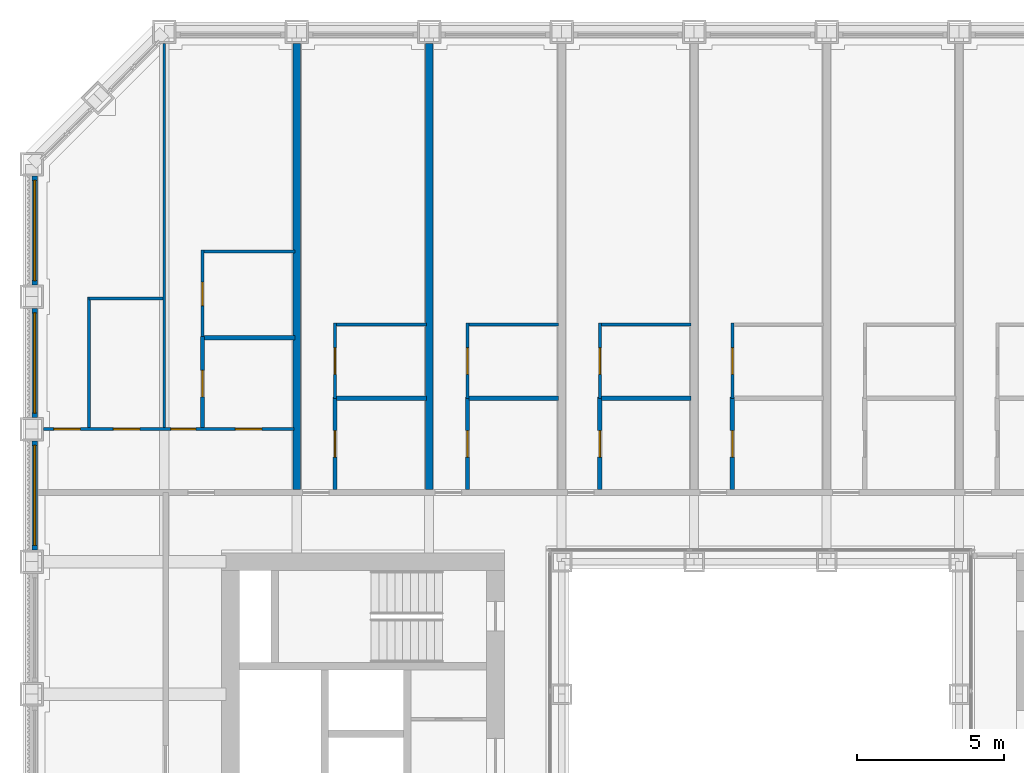
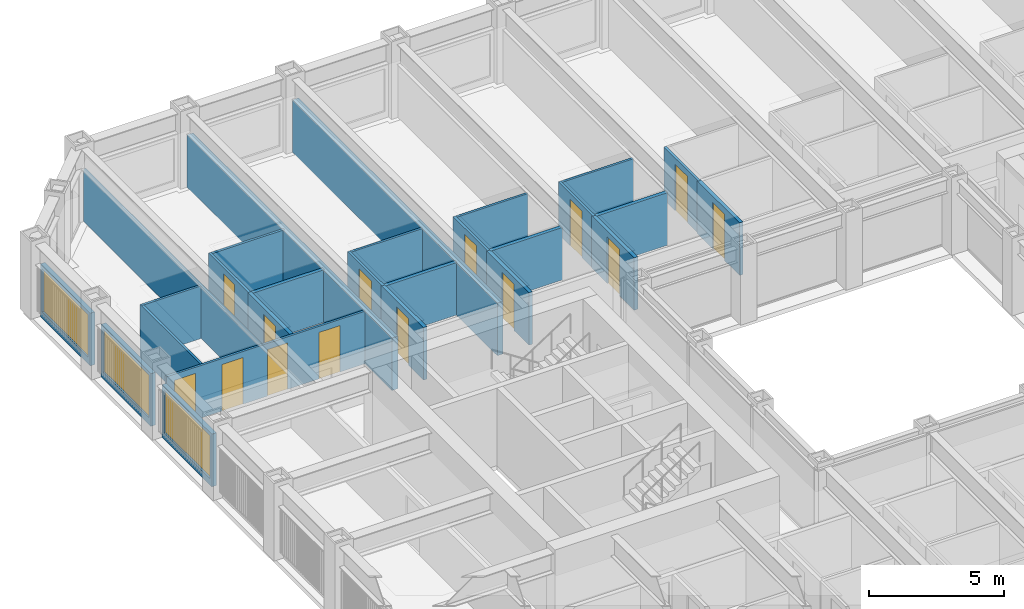
# One storey, part 13 of 21: 27 walls, 14 doors, 3 windows, 17 openings.
"""IFC4 building model written with IfcOpenShell, lengths in metres."""

from ifc_helpers import new_model, si_unit, direction, frame, frame_2d, origin, place, context, subcontext, project, spatial, rectangle, extrude, material, layer, layer_set, type_object, element, fill, save


model = new_model("IFC4")

# Units and contexts
model_context = context("Model", 3, precision=1e-05, world=origin(), true_north=direction((0.0, 1.0)))
body_context = subcontext(model_context, "Body", "Model", "MODEL_VIEW")
ifc_project = project(units=[si_unit("LENGTHUNIT", "METRE"), si_unit("AREAUNIT", "SQUARE_METRE"), si_unit("VOLUMEUNIT", "CUBIC_METRE"), si_unit("PLANEANGLEUNIT", "RADIAN"), si_unit("MASSUNIT", "GRAM", prefix="KILO")], contexts=[model_context])

# Site, building, storey
site_placement = place(None, origin())
site = spatial("IfcSite", under=ifc_project, at=site_placement, CompositionType="ELEMENT")
building_placement = place(site_placement, origin())
building = spatial("IfcBuilding", under=site, at=building_placement, Name="Msasa Ring Tower", CompositionType="ELEMENT")
storey_placement = place(building_placement, frame((0.0, 0.0, 33.5)))
storey = spatial("IfcBuildingStorey", under=building, at=storey_placement, Name="L07", CompositionType="ELEMENT", Elevation=33.5)

# Wall, opening, window
ifc_material_1 = material(Name="Terracotta rainscreen on blockwork", Category="masonry")
ifc_layer_1 = layer(ifc_material_1, 0.199951171875)
ifc_layer_set_1 = layer_set([ifc_layer_1], Name="FW1 TERRACOTTA-LINED INFILL BAY WALL 200")
wall_type_1 = type_object("IfcWallType", Name="FW1 TERRACOTTA-LINED INFILL BAY WALL 200", PredefinedType="SOLIDWALL", material=ifc_layer_set_1)
wall_1_placement = place(storey_placement, frame((-24.64990234375, 7.155029296875, 0.0), z_axis=(0.0, 0.0, 1.0), x_axis=(0.0, 1.0, 0.0)))
wall_1 = element("IfcWall", 1, at=wall_1_placement, inside=storey, type_object=wall_type_1, Name="Infill bay wall W L07 39", PredefinedType="SOLIDWALL", context=body_context, shape_type="SweptSolid", body=[
    extrude(rectangle(XDim=3.68994140625, YDim=0.199951171875, at=frame_2d((1.844970703125, 0.0))), origin(), (0.0, 0.0, 1.0), 2.37890625),
])
opening_1_placement = place(wall_1_placement, frame((0.14501953125, 0.0, 0.300048828125)))
opening_1 = element("IfcOpeningElement", 2, at=opening_1_placement, cuts=wall_1, Name="Opening WN1", PredefinedType="OPENING", context=body_context, shape_type="SweptSolid", body=[
    extrude(rectangle(XDim=3.39990234375, YDim=1.928955078125, at=frame_2d((1.699951171875, 0.96435546875))), frame((0.0, 0.10986328125, 0.0), z_axis=(0.0, -1.0, 0.0), x_axis=(1.0, 0.0, 0.0)), (0.0, 0.0, 1.0), 0.219970703125),
])
ifc_material_2 = material(Name="Aluminium frame with clear glass", Category="aluminium")
window_type = type_object("IfcWindowType", Name="WN1 RESIDENCE WINDOW 3400x1929", PartitioningType="SINGLE_PANEL", PredefinedType="WINDOW", material=ifc_material_2)
window_1_placement = place(opening_1_placement, origin())
window_1 = element("IfcWindow", 3, at=window_1_placement, inside=storey, type_object=window_type, Name="Window W L07 39", OverallHeight=1.928955078125, OverallWidth=3.39990234375, PartitioningType="SINGLE_PANEL", PredefinedType="WINDOW", context=body_context, shape_type="SweptSolid", body=[
    extrude(rectangle(XDim=3.39990234375, YDim=1.928955078125, at=frame_2d((1.699951171875, 0.96435546875))), frame((0.0, 0.030029296875, 0.0), z_axis=(0.0, -1.0, 0.0), x_axis=(1.0, 0.0, 0.0)), (0.0, 0.0, 1.0), 0.06005859375),
])
fill(opening_1, window_1)

wall_2_placement = place(storey_placement, frame((-24.64990234375, 11.655029296875, 0.0), z_axis=(0.0, 0.0, 1.0), x_axis=(0.0, 1.0, 0.0)))
wall_2 = element("IfcWall", 4, at=wall_2_placement, inside=storey, type_object=wall_type_1, Name="Infill bay wall W L07 40", PredefinedType="SOLIDWALL", context=body_context, shape_type="SweptSolid", body=[
    extrude(rectangle(XDim=3.68994140625, YDim=0.199951171875, at=frame_2d((1.844970703125, 0.0))), origin(), (0.0, 0.0, 1.0), 2.37890625),
])
opening_2_placement = place(wall_2_placement, frame((0.14501953125, 0.0, 0.300048828125)))
opening_2 = element("IfcOpeningElement", 5, at=opening_2_placement, cuts=wall_2, Name="Opening WN1", PredefinedType="OPENING", context=body_context, shape_type="SweptSolid", body=[
    extrude(rectangle(XDim=3.39990234375, YDim=1.928955078125, at=frame_2d((1.699951171875, 0.96435546875))), frame((0.0, 0.10986328125, 0.0), z_axis=(0.0, -1.0, 0.0), x_axis=(1.0, 0.0, 0.0)), (0.0, 0.0, 1.0), 0.219970703125),
])
window_2_placement = place(opening_2_placement, origin())
window_2 = element("IfcWindow", 6, at=window_2_placement, inside=storey, type_object=window_type, Name="Window W L07 40", OverallHeight=1.928955078125, OverallWidth=3.39990234375, PartitioningType="SINGLE_PANEL", PredefinedType="WINDOW", context=body_context, shape_type="SweptSolid", body=[
    extrude(rectangle(XDim=3.39990234375, YDim=1.928955078125, at=frame_2d((1.699951171875, 0.96435546875))), frame((0.0, 0.030029296875, 0.0), z_axis=(0.0, -1.0, 0.0), x_axis=(1.0, 0.0, 0.0)), (0.0, 0.0, 1.0), 0.06005859375),
])
fill(opening_2, window_2)

wall_3_placement = place(storey_placement, frame((-24.64990234375, 16.155029296875, 0.0), z_axis=(0.0, 0.0, 1.0), x_axis=(0.0, 1.0, 0.0)))
wall_3 = element("IfcWall", 7, at=wall_3_placement, inside=storey, type_object=wall_type_1, Name="Infill bay wall W L07 41", PredefinedType="SOLIDWALL", context=body_context, shape_type="SweptSolid", body=[
    extrude(rectangle(XDim=3.68994140625, YDim=0.199951171875, at=frame_2d((1.844970703125, 0.0))), origin(), (0.0, 0.0, 1.0), 2.37890625),
])
opening_3_placement = place(wall_3_placement, frame((0.14501953125, 0.0, 0.300048828125)))
opening_3 = element("IfcOpeningElement", 8, at=opening_3_placement, cuts=wall_3, Name="Opening WN1", PredefinedType="OPENING", context=body_context, shape_type="SweptSolid", body=[
    extrude(rectangle(XDim=3.39990234375, YDim=1.928955078125, at=frame_2d((1.699951171875, 0.96435546875))), frame((0.0, 0.10986328125, 0.0), z_axis=(0.0, -1.0, 0.0), x_axis=(1.0, 0.0, 0.0)), (0.0, 0.0, 1.0), 0.219970703125),
])
window_3_placement = place(opening_3_placement, origin())
window_3 = element("IfcWindow", 9, at=window_3_placement, inside=storey, type_object=window_type, Name="Window W L07 41", OverallHeight=1.928955078125, OverallWidth=3.39990234375, PartitioningType="SINGLE_PANEL", PredefinedType="WINDOW", context=body_context, shape_type="SweptSolid", body=[
    extrude(rectangle(XDim=3.39990234375, YDim=1.928955078125, at=frame_2d((1.699951171875, 0.96435546875))), frame((0.0, 0.030029296875, 0.0), z_axis=(0.0, -1.0, 0.0), x_axis=(1.0, 0.0, 0.0)), (0.0, 0.0, 1.0), 0.06005859375),
])
fill(opening_3, window_3)

# Wall, openings, doors
ifc_material_3 = material(Name="Gypsum board on steel studs", Category="steel")
ifc_layer_2 = layer(ifc_material_3, 0.10009765625)
ifc_layer_set_2 = layer_set([ifc_layer_2], Name="PT2 STUD PARTITION 100")
wall_type_2 = type_object("IfcWallType", Name="PT2 STUD PARTITION 100", PredefinedType="PARTITIONING", material=ifc_layer_set_2)
wall_4_placement = place(storey_placement, frame((-24.35009765625, 11.25, 0.0), z_axis=(0.0, 0.0, 1.0), x_axis=(1.0, 0.0, 0.0)))
wall_4 = element("IfcWall", 10, at=wall_4_placement, inside=storey, type_object=wall_type_2, Name="Partition L07-UN00HY", PredefinedType="PARTITIONING", context=body_context, shape_type="SweptSolid", body=[
    extrude(rectangle(XDim=8.5, YDim=0.10009765625, at=frame_2d((4.25, 0.0))), origin(), (0.0, 0.0, 1.0), 2.373291015625),
])
opening_4_placement = place(wall_4_placement, frame((2.375, 0.0, 0.0)))
opening_4 = element("IfcOpeningElement", 11, at=opening_4_placement, cuts=wall_4, Name="Opening RA-013", PredefinedType="OPENING", context=body_context, shape_type="SweptSolid", body=[
    extrude(rectangle(XDim=0.89990234375, YDim=2.10009765625, at=frame_2d((0.449951171875, 1.050048828125))), frame((0.0, 0.06005859375, 0.0), z_axis=(0.0, -1.0, 0.0), x_axis=(1.0, 0.0, 0.0)), (0.0, 0.0, 1.0), 0.1201171875),
])
opening_5_placement = place(wall_4_placement, frame((0.35009765625, 0.0, 0.0)))
opening_5 = element("IfcOpeningElement", 12, at=opening_5_placement, cuts=wall_4, Name="Opening RA-012", PredefinedType="OPENING", context=body_context, shape_type="SweptSolid", body=[
    extrude(rectangle(XDim=0.89990234375, YDim=2.10009765625, at=frame_2d((0.449951171875, 1.050048828125))), frame((0.0, 0.06005859375, 0.0), z_axis=(0.0, -1.0, 0.0), x_axis=(1.0, 0.0, 0.0)), (0.0, 0.0, 1.0), 0.1201171875),
])
opening_6_placement = place(wall_4_placement, frame((4.324951171875, 0.0, 0.0)))
opening_6 = element("IfcOpeningElement", 13, at=opening_6_placement, cuts=wall_4, Name="Opening RA-014", PredefinedType="OPENING", context=body_context, shape_type="SweptSolid", body=[
    extrude(rectangle(XDim=0.85009765625, YDim=2.10009765625, at=frame_2d((0.425048828125, 1.050048828125))), frame((0.0, 0.06005859375, 0.0), z_axis=(0.0, -1.0, 0.0), x_axis=(1.0, 0.0, 0.0)), (0.0, 0.0, 1.0), 0.1201171875),
])
opening_7_placement = place(wall_4_placement, frame((6.52001953125, 0.0, 0.0)))
opening_7 = element("IfcOpeningElement", 14, at=opening_7_placement, cuts=wall_4, Name="Opening RA-015", PredefinedType="OPENING", context=body_context, shape_type="SweptSolid", body=[
    extrude(rectangle(XDim=0.89990234375, YDim=2.10009765625, at=frame_2d((0.449951171875, 1.050048828125))), frame((0.0, 0.06005859375, 0.0), z_axis=(0.0, -1.0, 0.0), x_axis=(1.0, 0.0, 0.0)), (0.0, 0.0, 1.0), 0.1201171875),
])
ifc_material_4 = material(Name="Timber door leaf in a steel frame", Category="steel")
door_type_1 = type_object("IfcDoorType", Name="D14 BEDROOM DOOR 850x2100", OperationType="SINGLE_SWING_LEFT", PredefinedType="DOOR", material=ifc_material_4)
door_1_placement = place(opening_6_placement, origin())
door_1 = element("IfcDoor", 15, at=door_1_placement, inside=storey, type_object=door_type_1, Name="Door L07-UN00R1", OperationType="SINGLE_SWING_RIGHT", OverallHeight=2.10009765625, OverallWidth=0.85009765625, PredefinedType="DOOR", context=body_context, shape_type="SweptSolid", body=[
    extrude(rectangle(XDim=0.85009765625, YDim=2.10009765625, at=frame_2d((0.425048828125, 1.050048828125))), frame((0.0, 0.02490234375, 0.0), z_axis=(0.0, -1.0, 0.0), x_axis=(1.0, 0.0, 0.0)), (0.0, 0.0, 1.0), 0.050048828125),
])
fill(opening_6, door_1)
ifc_material_5 = material(Name="Timber door leaf in a steel frame", Category="steel")
door_type_2 = type_object("IfcDoorType", Name="D22 INTERNAL HALL DOOR 900x2100", OperationType="SINGLE_SWING_LEFT", PredefinedType="DOOR", material=ifc_material_5)
door_2_placement = place(opening_4_placement, origin())
door_2 = element("IfcDoor", 16, at=door_2_placement, inside=storey, type_object=door_type_2, Name="Door L07-UN00K", OperationType="SINGLE_SWING_LEFT", OverallHeight=2.10009765625, OverallWidth=0.89990234375, PredefinedType="DOOR", context=body_context, shape_type="SweptSolid", body=[
    extrude(rectangle(XDim=0.89990234375, YDim=2.10009765625, at=frame_2d((0.449951171875, 1.050048828125))), frame((0.0, 0.02490234375, 0.0), z_axis=(0.0, -1.0, 0.0), x_axis=(1.0, 0.0, 0.0)), (0.0, 0.0, 1.0), 0.050048828125),
])
fill(opening_4, door_2)
door_3_placement = place(opening_5_placement, origin())
door_3 = element("IfcDoor", 17, at=door_3_placement, inside=storey, type_object=door_type_2, Name="Door L07-UN00L", OperationType="SINGLE_SWING_LEFT", OverallHeight=2.10009765625, OverallWidth=0.89990234375, PredefinedType="DOOR", context=body_context, shape_type="SweptSolid", body=[
    extrude(rectangle(XDim=0.89990234375, YDim=2.10009765625, at=frame_2d((0.449951171875, 1.050048828125))), frame((0.0, 0.02490234375, 0.0), z_axis=(0.0, -1.0, 0.0), x_axis=(1.0, 0.0, 0.0)), (0.0, 0.0, 1.0), 0.050048828125),
])
fill(opening_5, door_3)
ifc_material_6 = material(Name="Timber door leaf in a steel frame", Category="steel")
door_type_3 = type_object("IfcDoorType", Name="D3 BATHROOM DOOR 900x2100", OperationType="SINGLE_SWING_LEFT", PredefinedType="DOOR", material=ifc_material_6)
door_4_placement = place(opening_7_placement, origin())
door_4 = element("IfcDoor", 18, at=door_4_placement, inside=storey, type_object=door_type_3, Name="Door L07-UN00BH1", OperationType="SINGLE_SWING_RIGHT", OverallHeight=2.10009765625, OverallWidth=0.89990234375, PredefinedType="DOOR", context=body_context, shape_type="SweptSolid", body=[
    extrude(rectangle(XDim=0.89990234375, YDim=2.10009765625, at=frame_2d((0.449951171875, 1.050048828125))), frame((0.0, 0.02490234375, 0.0), z_axis=(0.0, -1.0, 0.0), x_axis=(1.0, 0.0, 0.0)), (0.0, 0.0, 1.0), 0.050048828125),
])
fill(opening_7, door_4)

# Walls
wall_5_placement = place(storey_placement, frame((-22.800048828125, 11.300048828125, 0.0), z_axis=(0.0, 0.0, 1.0), x_axis=(0.0, 1.0, 0.0)))
element("IfcWall", 19, at=wall_5_placement, inside=storey, type_object=wall_type_2, Name="Partition L07-UN00KX", PredefinedType="PARTITIONING", context=body_context, shape_type="SweptSolid", body=[
    extrude(rectangle(XDim=4.442138671875, YDim=0.10009765625, at=frame_2d((2.22119140625, 0.0))), origin(), (0.0, 0.0, 1.0), 2.373291015625),
])
wall_6_placement = place(storey_placement, frame((-22.800048828125, 15.692138671875, 0.0), z_axis=(0.0, 0.0, 1.0), x_axis=(1.0, 0.0, 0.0)))
element("IfcWall", 20, at=wall_6_placement, inside=storey, type_object=wall_type_2, Name="Partition L07-UN00KY", PredefinedType="PARTITIONING", context=body_context, shape_type="SweptSolid", body=[
    extrude(rectangle(XDim=2.5, YDim=0.10009765625, at=frame_2d((1.25, 0.0))), origin(), (0.0, 0.0, 1.0), 2.373291015625),
])
wall_7_placement = place(storey_placement, frame((-20.25, 11.300048828125, 0.0), z_axis=(0.0, 0.0, 1.0), x_axis=(0.0, 1.0, 0.0)))
element("IfcWall", 21, at=wall_7_placement, inside=storey, type_object=wall_type_2, Name="Partition L07-UN00P1", PredefinedType="PARTITIONING", context=body_context, shape_type="SweptSolid", body=[
    extrude(rectangle(XDim=13.050048828125, YDim=0.10009765625, at=frame_2d((6.52490234375, 0.0))), origin(), (0.0, 0.0, 1.0), 2.373291015625),
])

# Wall, opening, door
wall_8_placement = place(storey_placement, frame((-18.949951171875, 14.39990234375, 0.0), z_axis=(0.0, 0.0, 1.0), x_axis=(0.0, 1.0, 0.0)))
wall_8 = element("IfcWall", 22, at=wall_8_placement, inside=storey, type_object=wall_type_2, Name="Partition L07-UN00WX1", PredefinedType="PARTITIONING", context=body_context, shape_type="SweptSolid", body=[
    extrude(rectangle(XDim=2.94091796875, YDim=0.10009765625, at=frame_2d((1.470458984375, 0.0))), origin(), (0.0, 0.0, 1.0), 2.373291015625),
])
opening_8_placement = place(wall_8_placement, frame((1.04541015625, 0.0, 0.0)))
opening_8 = element("IfcOpeningElement", 23, at=opening_8_placement, cuts=wall_8, Name="Opening RA-001", PredefinedType="OPENING", context=body_context, shape_type="SweptSolid", body=[
    extrude(rectangle(XDim=0.800048828125, YDim=2.10009765625, at=frame_2d((0.39990234375, 1.050048828125))), frame((0.0, 0.06005859375, 0.0), z_axis=(0.0, -1.0, 0.0), x_axis=(1.0, 0.0, 0.0)), (0.0, 0.0, 1.0), 0.1201171875),
])
ifc_material_7 = material(Name="Timber door leaf in a steel frame", Category="steel")
door_type_4 = type_object("IfcDoorType", Name="D60 DRESSING ROOM DOOR 800x2100", OperationType="SINGLE_SWING_LEFT", PredefinedType="DOOR", material=ifc_material_7)
door_5_placement = place(opening_8_placement, origin())
door_5 = element("IfcDoor", 24, at=door_5_placement, inside=storey, type_object=door_type_4, Name="Door L07-UN00W1", OperationType="SINGLE_SWING_LEFT", OverallHeight=2.10009765625, OverallWidth=0.800048828125, PredefinedType="DOOR", context=body_context, shape_type="SweptSolid", body=[
    extrude(rectangle(XDim=0.800048828125, YDim=2.10009765625, at=frame_2d((0.39990234375, 1.050048828125))), frame((0.0, 0.02490234375, 0.0), z_axis=(0.0, -1.0, 0.0), x_axis=(1.0, 0.0, 0.0)), (0.0, 0.0, 1.0), 0.050048828125),
])
fill(opening_8, door_5)

# Walls
wall_9_placement = place(storey_placement, frame((-18.949951171875, 17.291015625, 0.0), z_axis=(0.0, 0.0, 1.0), x_axis=(1.0, 0.0, 0.0)))
element("IfcWall", 25, at=wall_9_placement, inside=storey, type_object=wall_type_2, Name="Partition L07-UN00WY1", PredefinedType="PARTITIONING", context=body_context, shape_type="SweptSolid", body=[
    extrude(rectangle(XDim=3.139892578125, YDim=0.10009765625, at=frame_2d((1.56982421875, 0.0))), origin(), (0.0, 0.0, 1.0), 2.373291015625),
])
wall_10_placement = place(storey_placement, frame((-14.39990234375, 14.800048828125, 0.0), z_axis=(0.0, 0.0, 1.0), x_axis=(1.0, 0.0, 0.0)))
element("IfcWall", 26, at=wall_10_placement, inside=storey, type_object=wall_type_2, Name="Partition L07-UN01KY", PredefinedType="PARTITIONING", context=body_context, shape_type="SweptSolid", body=[
    extrude(rectangle(XDim=3.0498046875, YDim=0.10009765625, at=frame_2d((1.52490234375, 0.0))), origin(), (0.0, 0.0, 1.0), 2.373291015625),
])

# Wall, opening, door
wall_11_placement = place(storey_placement, frame((-14.449951171875, 12.300048828125, 0.0), z_axis=(0.0, 0.0, 1.0), x_axis=(0.0, 1.0, 0.0)))
wall_11 = element("IfcWall", 27, at=wall_11_placement, inside=storey, type_object=wall_type_2, Name="Partition L07-UN01KX", PredefinedType="PARTITIONING", context=body_context, shape_type="SweptSolid", body=[
    extrude(rectangle(XDim=2.550048828125, YDim=0.10009765625, at=frame_2d((1.27490234375, 0.0))), origin(), (0.0, 0.0, 1.0), 2.373291015625),
])
opening_9_placement = place(wall_11_placement, frame((0.81005859375, 0.0, 0.0)))
opening_9 = element("IfcOpeningElement", 28, at=opening_9_placement, cuts=wall_11, Name="Opening RA-003", PredefinedType="OPENING", context=body_context, shape_type="SweptSolid", body=[
    extrude(rectangle(XDim=0.89990234375, YDim=2.10009765625, at=frame_2d((0.449951171875, 1.050048828125))), frame((0.0, 0.06005859375, 0.0), z_axis=(0.0, -1.0, 0.0), x_axis=(1.0, 0.0, 0.0)), (0.0, 0.0, 1.0), 0.1201171875),
])
door_6_placement = place(opening_9_placement, origin())
door_6 = element("IfcDoor", 29, at=door_6_placement, inside=storey, type_object=door_type_2, Name="Door L07-UN01K", OperationType="SINGLE_SWING_LEFT", OverallHeight=2.10009765625, OverallWidth=0.89990234375, PredefinedType="DOOR", context=body_context, shape_type="SweptSolid", body=[
    extrude(rectangle(XDim=0.89990234375, YDim=2.10009765625, at=frame_2d((0.449951171875, 1.050048828125))), frame((0.0, 0.02490234375, 0.0), z_axis=(0.0, -1.0, 0.0), x_axis=(1.0, 0.0, 0.0)), (0.0, 0.0, 1.0), 0.050048828125),
])
fill(opening_9, door_6)

# Wall
wall_12_placement = place(storey_placement, frame((-9.89990234375, 14.800048828125, 0.0), z_axis=(0.0, 0.0, 1.0), x_axis=(1.0, 0.0, 0.0)))
element("IfcWall", 30, at=wall_12_placement, inside=storey, type_object=wall_type_2, Name="Partition L07-UN02KY", PredefinedType="PARTITIONING", context=body_context, shape_type="SweptSolid", body=[
    extrude(rectangle(XDim=3.0498046875, YDim=0.10009765625, at=frame_2d((1.52490234375, 0.0))), origin(), (0.0, 0.0, 1.0), 2.373291015625),
])

# Wall, opening, door
wall_13_placement = place(storey_placement, frame((-9.949951171875, 12.300048828125, 0.0), z_axis=(0.0, 0.0, 1.0), x_axis=(0.0, 1.0, 0.0)))
wall_13 = element("IfcWall", 31, at=wall_13_placement, inside=storey, type_object=wall_type_2, Name="Partition L07-UN02KX", PredefinedType="PARTITIONING", context=body_context, shape_type="SweptSolid", body=[
    extrude(rectangle(XDim=2.550048828125, YDim=0.10009765625, at=frame_2d((1.27490234375, 0.0))), origin(), (0.0, 0.0, 1.0), 2.373291015625),
])
opening_10_placement = place(wall_13_placement, frame((0.81005859375, 0.0, 0.0)))
opening_10 = element("IfcOpeningElement", 32, at=opening_10_placement, cuts=wall_13, Name="Opening RA-004", PredefinedType="OPENING", context=body_context, shape_type="SweptSolid", body=[
    extrude(rectangle(XDim=0.89990234375, YDim=2.10009765625, at=frame_2d((0.449951171875, 1.050048828125))), frame((0.0, 0.06005859375, 0.0), z_axis=(0.0, -1.0, 0.0), x_axis=(1.0, 0.0, 0.0)), (0.0, 0.0, 1.0), 0.1201171875),
])
door_7_placement = place(opening_10_placement, origin())
door_7 = element("IfcDoor", 33, at=door_7_placement, inside=storey, type_object=door_type_2, Name="Door L07-UN02K", OperationType="SINGLE_SWING_LEFT", OverallHeight=2.10009765625, OverallWidth=0.89990234375, PredefinedType="DOOR", context=body_context, shape_type="SweptSolid", body=[
    extrude(rectangle(XDim=0.89990234375, YDim=2.10009765625, at=frame_2d((0.449951171875, 1.050048828125))), frame((0.0, 0.02490234375, 0.0), z_axis=(0.0, -1.0, 0.0), x_axis=(1.0, 0.0, 0.0)), (0.0, 0.0, 1.0), 0.050048828125),
])
fill(opening_10, door_7)

# Wall
wall_14_placement = place(storey_placement, frame((-5.39990234375, 14.800048828125, 0.0), z_axis=(0.0, 0.0, 1.0), x_axis=(1.0, 0.0, 0.0)))
element("IfcWall", 34, at=wall_14_placement, inside=storey, type_object=wall_type_2, Name="Partition L07-UN03KY", PredefinedType="PARTITIONING", context=body_context, shape_type="SweptSolid", body=[
    extrude(rectangle(XDim=3.0498046875, YDim=0.10009765625, at=frame_2d((1.52490234375, 0.0))), origin(), (0.0, 0.0, 1.0), 2.373291015625),
])

# Wall, opening, door
wall_15_placement = place(storey_placement, frame((-5.449951171875, 12.300048828125, 0.0), z_axis=(0.0, 0.0, 1.0), x_axis=(0.0, 1.0, 0.0)))
wall_15 = element("IfcWall", 35, at=wall_15_placement, inside=storey, type_object=wall_type_2, Name="Partition L07-UN03KX", PredefinedType="PARTITIONING", context=body_context, shape_type="SweptSolid", body=[
    extrude(rectangle(XDim=2.550048828125, YDim=0.10009765625, at=frame_2d((1.27490234375, 0.0))), origin(), (0.0, 0.0, 1.0), 2.373291015625),
])
opening_11_placement = place(wall_15_placement, frame((0.81005859375, 0.0, 0.0)))
opening_11 = element("IfcOpeningElement", 36, at=opening_11_placement, cuts=wall_15, Name="Opening RA-005", PredefinedType="OPENING", context=body_context, shape_type="SweptSolid", body=[
    extrude(rectangle(XDim=0.89990234375, YDim=2.10009765625, at=frame_2d((0.449951171875, 1.050048828125))), frame((0.0, 0.06005859375, 0.0), z_axis=(0.0, -1.0, 0.0), x_axis=(1.0, 0.0, 0.0)), (0.0, 0.0, 1.0), 0.1201171875),
])
door_8_placement = place(opening_11_placement, origin())
door_8 = element("IfcDoor", 37, at=door_8_placement, inside=storey, type_object=door_type_2, Name="Door L07-UN03K", OperationType="SINGLE_SWING_LEFT", OverallHeight=2.10009765625, OverallWidth=0.89990234375, PredefinedType="DOOR", context=body_context, shape_type="SweptSolid", body=[
    extrude(rectangle(XDim=0.89990234375, YDim=2.10009765625, at=frame_2d((0.449951171875, 1.050048828125))), frame((0.0, 0.02490234375, 0.0), z_axis=(0.0, -1.0, 0.0), x_axis=(1.0, 0.0, 0.0)), (0.0, 0.0, 1.0), 0.050048828125),
])
fill(opening_11, door_8)

wall_16_placement = place(storey_placement, frame((-0.949951171875, 12.300048828125, 0.0), z_axis=(0.0, 0.0, 1.0), x_axis=(0.0, 1.0, 0.0)))
wall_16 = element("IfcWall", 38, at=wall_16_placement, inside=storey, type_object=wall_type_2, Name="Partition L07-UN04KX", PredefinedType="PARTITIONING", context=body_context, shape_type="SweptSolid", body=[
    extrude(rectangle(XDim=2.550048828125, YDim=0.10009765625, at=frame_2d((1.27490234375, 0.0))), origin(), (0.0, 0.0, 1.0), 2.373291015625),
])
opening_12_placement = place(wall_16_placement, frame((0.81005859375, 0.0, 0.0)))
opening_12 = element("IfcOpeningElement", 39, at=opening_12_placement, cuts=wall_16, Name="Opening RA-006", PredefinedType="OPENING", context=body_context, shape_type="SweptSolid", body=[
    extrude(rectangle(XDim=0.89990234375, YDim=2.10009765625, at=frame_2d((0.449951171875, 1.050048828125))), frame((0.0, 0.06005859375, 0.0), z_axis=(0.0, -1.0, 0.0), x_axis=(1.0, 0.0, 0.0)), (0.0, 0.0, 1.0), 0.1201171875),
])
door_9_placement = place(opening_12_placement, origin())
door_9 = element("IfcDoor", 40, at=door_9_placement, inside=storey, type_object=door_type_2, Name="Door L07-UN04K", OperationType="SINGLE_SWING_LEFT", OverallHeight=2.10009765625, OverallWidth=0.89990234375, PredefinedType="DOOR", context=body_context, shape_type="SweptSolid", body=[
    extrude(rectangle(XDim=0.89990234375, YDim=2.10009765625, at=frame_2d((0.449951171875, 1.050048828125))), frame((0.0, 0.02490234375, 0.0), z_axis=(0.0, -1.0, 0.0), x_axis=(1.0, 0.0, 0.0)), (0.0, 0.0, 1.0), 0.050048828125),
])
fill(opening_12, door_9)

# Walls
ifc_material_8 = material(Name="Dense concrete blockwork, plastered both faces", Category="masonry")
ifc_layer_3 = layer(ifc_material_8, 0.25)
ifc_layer_set_3 = layer_set([ifc_layer_3], Name="PT3 APARTMENT SEPARATING WALL 250")
wall_type_3 = type_object("IfcWallType", Name="PT3 APARTMENT SEPARATING WALL 250", PredefinedType="PARTITIONING", material=ifc_layer_set_3)
for number, where, z_axis, x_axis, name in (
    (41, (-15.75, 9.199951171875, 0.0), (0.0, 0.0, 1.0), (0.0, 1.0, 0.0), "Party wall L07-PWN-15.75"),
    (42, (-11.25, 9.199951171875, 0.0), (0.0, 0.0, 1.0), (0.0, 1.0, 0.0), "Party wall L07-PWN-11.25"),
):
    element("IfcWall", number, at=place(storey_placement, frame(where, z_axis=z_axis, x_axis=x_axis)), inside=storey, type_object=wall_type_3, Name=name, PredefinedType="PARTITIONING", context=body_context, shape_type="SweptSolid", body=[
        extrude(rectangle(XDim=15.150146484375, YDim=0.25, at=frame_2d((7.5751953125, 0.0))), origin(), (0.0, 0.0, 1.0), 2.373291015625),
    ])

# Wall, opening, door
ifc_material_9 = material(Name="Moisture-resistant board on steel studs with a concealed cistern and pipe void, tiled", Category="steel")
ifc_layer_4 = layer(ifc_material_9, 0.14990234375)
ifc_layer_set_4 = layer_set([ifc_layer_4], Name="PT4 BATHROOM WET WALL 150")
wall_type_4 = type_object("IfcWallType", Name="PT4 BATHROOM WET WALL 150", PredefinedType="PARTITIONING", material=ifc_layer_set_4)
wall_17_placement = place(storey_placement, frame((-18.949951171875, 11.300048828125, 0.0), z_axis=(0.0, 0.0, 1.0), x_axis=(0.0, 1.0, 0.0)))
wall_17 = element("IfcWall", 43, at=wall_17_placement, inside=storey, type_object=wall_type_4, Name="Partition L07-UN00BX1", PredefinedType="PARTITIONING", context=body_context, shape_type="SweptSolid", body=[
    extrude(rectangle(XDim=3.099853515625, YDim=0.14990234375, at=frame_2d((1.5498046875, 0.0))), origin(), (0.0, 0.0, 1.0), 2.373291015625),
])
opening_13_placement = place(wall_17_placement, frame((1.050048828125, 0.0, 0.0)))
opening_13 = element("IfcOpeningElement", 44, at=opening_13_placement, cuts=wall_17, Name="Opening RA-010", PredefinedType="OPENING", context=body_context, shape_type="SweptSolid", body=[
    extrude(rectangle(XDim=0.89990234375, YDim=2.10009765625, at=frame_2d((0.449951171875, 1.050048828125))), frame((0.0, 0.0849609375, 0.0), z_axis=(0.0, -1.0, 0.0), x_axis=(1.0, 0.0, 0.0)), (0.0, 0.0, 1.0), 0.169921875),
])
door_10_placement = place(opening_13_placement, origin())
door_10 = element("IfcDoor", 45, at=door_10_placement, inside=storey, type_object=door_type_3, Name="Door L07-UN00B1", OperationType="SINGLE_SWING_LEFT", OverallHeight=2.10009765625, OverallWidth=0.89990234375, PredefinedType="DOOR", context=body_context, shape_type="SweptSolid", body=[
    extrude(rectangle(XDim=0.89990234375, YDim=2.10009765625, at=frame_2d((0.449951171875, 1.050048828125))), frame((0.0, 0.02490234375, 0.0), z_axis=(0.0, -1.0, 0.0), x_axis=(1.0, 0.0, 0.0)), (0.0, 0.0, 1.0), 0.050048828125),
])
fill(opening_13, door_10)

# Wall
wall_18_placement = place(storey_placement, frame((-18.949951171875, 14.35009765625, 0.0), z_axis=(0.0, 0.0, 1.0), x_axis=(1.0, 0.0, 0.0)))
element("IfcWall", 46, at=wall_18_placement, inside=storey, type_object=wall_type_4, Name="Partition L07-UN00BY1", PredefinedType="PARTITIONING", context=body_context, shape_type="SweptSolid", body=[
    extrude(rectangle(XDim=3.139892578125, YDim=0.14990234375, at=frame_2d((1.56982421875, 0.0))), origin(), (0.0, 0.0, 1.0), 2.373291015625),
])

# Wall, opening, door
wall_19_placement = place(storey_placement, frame((-14.449951171875, 9.199951171875, 0.0), z_axis=(0.0, 0.0, 1.0), x_axis=(0.0, 1.0, 0.0)))
wall_19 = element("IfcWall", 47, at=wall_19_placement, inside=storey, type_object=wall_type_4, Name="Partition L07-UN01BX", PredefinedType="PARTITIONING", context=body_context, shape_type="SweptSolid", body=[
    extrude(rectangle(XDim=3.150146484375, YDim=0.14990234375, at=frame_2d((1.5751953125, 0.0))), origin(), (0.0, 0.0, 1.0), 2.373291015625),
])
opening_14_placement = place(wall_19_placement, frame((1.10009765625, 0.0, 0.0)))
opening_14 = element("IfcOpeningElement", 48, at=opening_14_placement, cuts=wall_19, Name="Opening RA-020", PredefinedType="OPENING", context=body_context, shape_type="SweptSolid", body=[
    extrude(rectangle(XDim=0.89990234375, YDim=2.10009765625, at=frame_2d((0.449951171875, 1.050048828125))), frame((0.0, 0.0849609375, 0.0), z_axis=(0.0, -1.0, 0.0), x_axis=(1.0, 0.0, 0.0)), (0.0, 0.0, 1.0), 0.169921875),
])
door_11_placement = place(opening_14_placement, origin())
door_11 = element("IfcDoor", 49, at=door_11_placement, inside=storey, type_object=door_type_3, Name="Door L07-UN01B", OperationType="SINGLE_SWING_LEFT", OverallHeight=2.10009765625, OverallWidth=0.89990234375, PredefinedType="DOOR", context=body_context, shape_type="SweptSolid", body=[
    extrude(rectangle(XDim=0.89990234375, YDim=2.10009765625, at=frame_2d((0.449951171875, 1.050048828125))), frame((0.0, 0.02490234375, 0.0), z_axis=(0.0, -1.0, 0.0), x_axis=(1.0, 0.0, 0.0)), (0.0, 0.0, 1.0), 0.050048828125),
])
fill(opening_14, door_11)

# Wall
wall_20_placement = place(storey_placement, frame((-14.39990234375, 12.300048828125, 0.0), z_axis=(0.0, 0.0, 1.0), x_axis=(1.0, 0.0, 0.0)))
element("IfcWall", 50, at=wall_20_placement, inside=storey, type_object=wall_type_4, Name="Partition L07-UN01BY", PredefinedType="PARTITIONING", context=body_context, shape_type="SweptSolid", body=[
    extrude(rectangle(XDim=3.0498046875, YDim=0.14990234375, at=frame_2d((1.52490234375, 0.0))), origin(), (0.0, 0.0, 1.0), 2.373291015625),
])

# Wall, opening, door
wall_21_placement = place(storey_placement, frame((-9.949951171875, 9.199951171875, 0.0), z_axis=(0.0, 0.0, 1.0), x_axis=(0.0, 1.0, 0.0)))
wall_21 = element("IfcWall", 51, at=wall_21_placement, inside=storey, type_object=wall_type_4, Name="Partition L07-UN02BX", PredefinedType="PARTITIONING", context=body_context, shape_type="SweptSolid", body=[
    extrude(rectangle(XDim=3.150146484375, YDim=0.14990234375, at=frame_2d((1.5751953125, 0.0))), origin(), (0.0, 0.0, 1.0), 2.373291015625),
])
opening_15_placement = place(wall_21_placement, frame((1.10009765625, 0.0, 0.0)))
opening_15 = element("IfcOpeningElement", 52, at=opening_15_placement, cuts=wall_21, Name="Opening RA-021", PredefinedType="OPENING", context=body_context, shape_type="SweptSolid", body=[
    extrude(rectangle(XDim=0.89990234375, YDim=2.10009765625, at=frame_2d((0.449951171875, 1.050048828125))), frame((0.0, 0.0849609375, 0.0), z_axis=(0.0, -1.0, 0.0), x_axis=(1.0, 0.0, 0.0)), (0.0, 0.0, 1.0), 0.169921875),
])
door_12_placement = place(opening_15_placement, origin())
door_12 = element("IfcDoor", 53, at=door_12_placement, inside=storey, type_object=door_type_3, Name="Door L07-UN02B", OperationType="SINGLE_SWING_LEFT", OverallHeight=2.10009765625, OverallWidth=0.89990234375, PredefinedType="DOOR", context=body_context, shape_type="SweptSolid", body=[
    extrude(rectangle(XDim=0.89990234375, YDim=2.10009765625, at=frame_2d((0.449951171875, 1.050048828125))), frame((0.0, 0.02490234375, 0.0), z_axis=(0.0, -1.0, 0.0), x_axis=(1.0, 0.0, 0.0)), (0.0, 0.0, 1.0), 0.050048828125),
])
fill(opening_15, door_12)

# Wall
wall_22_placement = place(storey_placement, frame((-9.89990234375, 12.300048828125, 0.0), z_axis=(0.0, 0.0, 1.0), x_axis=(1.0, 0.0, 0.0)))
element("IfcWall", 54, at=wall_22_placement, inside=storey, type_object=wall_type_4, Name="Partition L07-UN02BY", PredefinedType="PARTITIONING", context=body_context, shape_type="SweptSolid", body=[
    extrude(rectangle(XDim=3.0498046875, YDim=0.14990234375, at=frame_2d((1.52490234375, 0.0))), origin(), (0.0, 0.0, 1.0), 2.373291015625),
])

# Wall, opening, door
wall_23_placement = place(storey_placement, frame((-5.449951171875, 9.199951171875, 0.0), z_axis=(0.0, 0.0, 1.0), x_axis=(0.0, 1.0, 0.0)))
wall_23 = element("IfcWall", 55, at=wall_23_placement, inside=storey, type_object=wall_type_4, Name="Partition L07-UN03BX", PredefinedType="PARTITIONING", context=body_context, shape_type="SweptSolid", body=[
    extrude(rectangle(XDim=3.150146484375, YDim=0.14990234375, at=frame_2d((1.5751953125, 0.0))), origin(), (0.0, 0.0, 1.0), 2.373291015625),
])
opening_16_placement = place(wall_23_placement, frame((1.10009765625, 0.0, 0.0)))
opening_16 = element("IfcOpeningElement", 56, at=opening_16_placement, cuts=wall_23, Name="Opening RA-022", PredefinedType="OPENING", context=body_context, shape_type="SweptSolid", body=[
    extrude(rectangle(XDim=0.89990234375, YDim=2.10009765625, at=frame_2d((0.449951171875, 1.050048828125))), frame((0.0, 0.0849609375, 0.0), z_axis=(0.0, -1.0, 0.0), x_axis=(1.0, 0.0, 0.0)), (0.0, 0.0, 1.0), 0.169921875),
])
door_13_placement = place(opening_16_placement, origin())
door_13 = element("IfcDoor", 57, at=door_13_placement, inside=storey, type_object=door_type_3, Name="Door L07-UN03B", OperationType="SINGLE_SWING_LEFT", OverallHeight=2.10009765625, OverallWidth=0.89990234375, PredefinedType="DOOR", context=body_context, shape_type="SweptSolid", body=[
    extrude(rectangle(XDim=0.89990234375, YDim=2.10009765625, at=frame_2d((0.449951171875, 1.050048828125))), frame((0.0, 0.02490234375, 0.0), z_axis=(0.0, -1.0, 0.0), x_axis=(1.0, 0.0, 0.0)), (0.0, 0.0, 1.0), 0.050048828125),
])
fill(opening_16, door_13)

# Wall
wall_24_placement = place(storey_placement, frame((-5.39990234375, 12.300048828125, 0.0), z_axis=(0.0, 0.0, 1.0), x_axis=(1.0, 0.0, 0.0)))
element("IfcWall", 58, at=wall_24_placement, inside=storey, type_object=wall_type_4, Name="Partition L07-UN03BY", PredefinedType="PARTITIONING", context=body_context, shape_type="SweptSolid", body=[
    extrude(rectangle(XDim=3.0498046875, YDim=0.14990234375, at=frame_2d((1.52490234375, 0.0))), origin(), (0.0, 0.0, 1.0), 2.373291015625),
])

# Wall, opening, door
wall_25_placement = place(storey_placement, frame((-0.949951171875, 9.199951171875, 0.0), z_axis=(0.0, 0.0, 1.0), x_axis=(0.0, 1.0, 0.0)))
wall_25 = element("IfcWall", 59, at=wall_25_placement, inside=storey, type_object=wall_type_4, Name="Partition L07-UN04BX", PredefinedType="PARTITIONING", context=body_context, shape_type="SweptSolid", body=[
    extrude(rectangle(XDim=3.150146484375, YDim=0.14990234375, at=frame_2d((1.5751953125, 0.0))), origin(), (0.0, 0.0, 1.0), 2.373291015625),
])
opening_17_placement = place(wall_25_placement, frame((1.10009765625, 0.0, 0.0)))
opening_17 = element("IfcOpeningElement", 60, at=opening_17_placement, cuts=wall_25, Name="Opening RA-023", PredefinedType="OPENING", context=body_context, shape_type="SweptSolid", body=[
    extrude(rectangle(XDim=0.89990234375, YDim=2.10009765625, at=frame_2d((0.449951171875, 1.050048828125))), frame((0.0, 0.0849609375, 0.0), z_axis=(0.0, -1.0, 0.0), x_axis=(1.0, 0.0, 0.0)), (0.0, 0.0, 1.0), 0.169921875),
])
door_14_placement = place(opening_17_placement, origin())
door_14 = element("IfcDoor", 61, at=door_14_placement, inside=storey, type_object=door_type_3, Name="Door L07-UN04B", OperationType="SINGLE_SWING_LEFT", OverallHeight=2.10009765625, OverallWidth=0.89990234375, PredefinedType="DOOR", context=body_context, shape_type="SweptSolid", body=[
    extrude(rectangle(XDim=0.89990234375, YDim=2.10009765625, at=frame_2d((0.449951171875, 1.050048828125))), frame((0.0, 0.02490234375, 0.0), z_axis=(0.0, -1.0, 0.0), x_axis=(1.0, 0.0, 0.0)), (0.0, 0.0, 1.0), 0.050048828125),
])
fill(opening_17, door_14)

save(model, "model.ifc")
